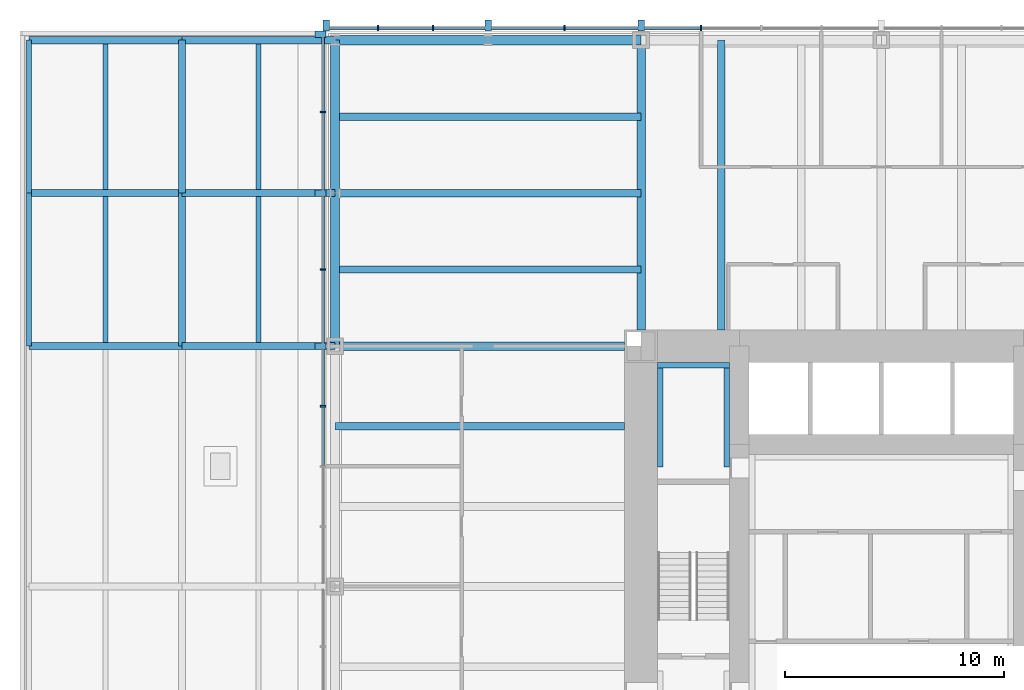
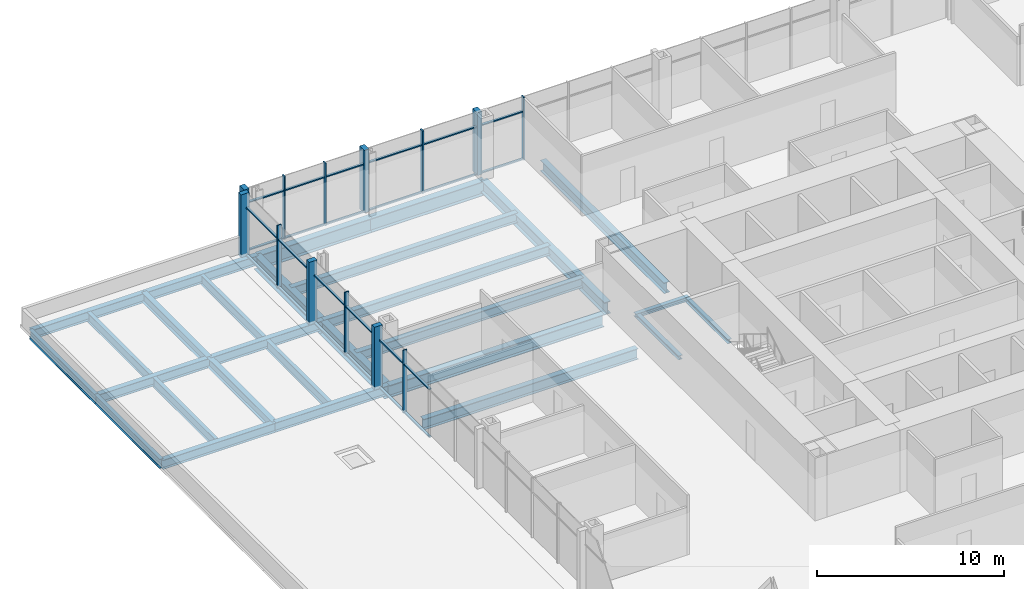
# One storey, part 5 of 15: 37 members, 28 beams, 2 elements without a shape of their own.
"""IFC4 building model written with IfcOpenShell, lengths in metres."""

from ifc_helpers import new_model, si_unit, direction, frame, origin, origin_2d, place, context, subcontext, project, spatial, rectangle, i_section, extrude, material, material_profile, profile_set, type_object, element, aggregate, save


model = new_model("IFC4")

# Units and contexts
model_context = context("Model", 3, precision=1e-05, world=origin(), true_north=direction((0.0, 1.0)))
body_context = subcontext(model_context, "Body", "Model", "MODEL_VIEW")
ifc_project = project(units=[si_unit("LENGTHUNIT", "METRE"), si_unit("AREAUNIT", "SQUARE_METRE"), si_unit("VOLUMEUNIT", "CUBIC_METRE"), si_unit("PLANEANGLEUNIT", "RADIAN"), si_unit("MASSUNIT", "GRAM", prefix="KILO")], contexts=[model_context])

# Site, building, storey
site_placement = place(None, origin())
site = spatial("IfcSite", under=ifc_project, at=site_placement, CompositionType="ELEMENT")
building_placement = place(site_placement, origin())
building = spatial("IfcBuilding", under=site, at=building_placement, Name="Trevanion Tower", CompositionType="ELEMENT")
storey_placement = place(building_placement, frame((0.0, 0.0, 16.0)))
storey = spatial("IfcBuildingStorey", under=building, at=storey_placement, Name="L03", CompositionType="ELEMENT", Elevation=16.0)

# Beams
ifc_material_1 = material(Name="Steel ASTM A992 Grade 50", Category="steel")
ifc_material_profile_1 = material_profile(ifc_material_1, i_section(OverallWidth=0.355712890625, OverallDepth=0.700927734375, WebThickness=0.016845703125, FlangeThickness=0.02734375, at=origin_2d()), Name="W27X161")
ifc_profile_set_1 = profile_set([ifc_material_profile_1], Name="Steel ASTM A992 Grade 50")
beam_type_1 = type_object("IfcBeamType", Name="B1 W27X161", PredefinedType="BEAM", material=ifc_profile_set_1)
for number, where, z_axis, x_axis, name in (
    (1, (-7.333251953125, 11.75, -0.54052734375), (0.0, 1.0, 0.0), (-1.0, 0.0, 0.0), "B1 L03"),
    (2, (-11.75, 7.333251953125, -0.54052734375), (-1.0, 0.0, 0.0), (0.0, -1.0, 0.0), "B1 L03"),
):
    element("IfcBeam", number, at=place(storey_placement, frame(where, z_axis=z_axis, x_axis=x_axis)), inside=storey, type_object=beam_type_1, Name=name, PredefinedType="BEAM", context=body_context, shape_type="SweptSolid", body=[
        extrude(i_section(OverallWidth=0.355712890625, OverallDepth=0.700927734375, WebThickness=0.016845703125, FlangeThickness=0.02734375, at=origin_2d()), origin(), (0.0, 0.0, 1.0), 13.25),
    ])
ifc_material_2 = material(Name="Steel ASTM A992 Grade 50", Category="steel")
ifc_material_profile_2 = material_profile(ifc_material_2, i_section(OverallWidth=0.32763671875, OverallDepth=0.62744140625, WebThickness=0.0166015625, FlangeThickness=0.027587890625, at=origin_2d()), Name="W24X146")
ifc_profile_set_2 = profile_set([ifc_material_profile_2], Name="Steel ASTM A992 Grade 50")
beam_type_2 = type_object("IfcBeamType", Name="B2 W24X146", PredefinedType="BEAM", material=ifc_profile_set_2)
for number, where, z_axis, x_axis, name in (
    (3, (-11.0, 14.5, -0.503662109375), (-1.0, 0.0, 0.0), (0.0, -1.0, 0.0), "B2 L03"),
    (4, (-11.0, 18.0, -0.503662109375), (-1.0, 0.0, 0.0), (0.0, -1.0, 0.0), "B2 L03"),
    (5, (-11.0, 21.5, -0.503662109375), (-1.0, 0.0, 0.0), (0.0, -1.0, 0.0), "B2 L03"),
):
    element("IfcBeam", number, at=place(storey_placement, frame(where, z_axis=z_axis, x_axis=x_axis)), inside=storey, type_object=beam_type_2, Name=name, PredefinedType="BEAM", context=body_context, shape_type="SweptSolid", body=[
        extrude(i_section(OverallWidth=0.32763671875, OverallDepth=0.62744140625, WebThickness=0.0166015625, FlangeThickness=0.027587890625, at=origin_2d()), origin(), (0.0, 0.0, 1.0), 14.0),
    ])

# Curtain wall, members
ifc_material_3 = material(Name="Aluminium and glass", Category="aluminium")
curtain_wall_type = type_object("IfcCurtainWallType", Name="CW1 curtain wall", PredefinedType="USERDEFINED", material=ifc_material_3)
curtain_wall_1_placement = place(storey_placement, origin())
curtain_wall_1 = element("IfcCurtainWall", 6, at=curtain_wall_1_placement, inside=storey, type_object=curtain_wall_type, Name="CW1 L03 1", ObjectType="UNITISED CURTAIN WALL", PredefinedType="USERDEFINED")
ifc_material_4 = material(Name="Aluminium extrusion, anodised bronze", Category="aluminium")
ifc_material_profile_3 = material_profile(ifc_material_4, rectangle(XDim=0.074951171875, YDim=0.25, at=origin_2d()), Name="CW1 mullion")
ifc_profile_set_3 = profile_set([ifc_material_profile_3], Name="Aluminium extrusion, anodised bronze")
member_type_1 = type_object("IfcMemberType", Name="CW1 mullion", PredefinedType="MULLION", material=ifc_profile_set_3)
member_1_placement = place(storey_placement, frame((-8.25, 25.550048828125, -0.18994140625), z_axis=(0.0, 0.0, 1.0), x_axis=(-1.0, 0.0, 0.0)))
member_1 = element("IfcMember", 7, at=member_1_placement, type_object=member_type_1, Name="CW1 mullion 12", PredefinedType="MULLION", context=body_context, shape_type="SweptSolid", body=[
    extrude(rectangle(XDim=0.074951171875, YDim=0.25, at=origin_2d()), origin(), (0.0, 0.0, 1.0), 4.099853515625),
])
member_2_placement = place(storey_placement, frame((-14.5, 25.550048828125, -0.18994140625), z_axis=(0.0, 0.0, 1.0), x_axis=(-1.0, 0.0, 0.0)))
member_2 = element("IfcMember", 8, at=member_2_placement, type_object=member_type_1, Name="CW1 mullion 14", PredefinedType="MULLION", context=body_context, shape_type="SweptSolid", body=[
    extrude(rectangle(XDim=0.074951171875, YDim=0.25, at=origin_2d()), origin(), (0.0, 0.0, 1.0), 4.099853515625),
])
member_3_placement = place(storey_placement, frame((-20.5166015625, 25.550048828125, -0.18994140625), z_axis=(0.0, 0.0, 1.0), x_axis=(-1.0, 0.0, 0.0)))
member_3 = element("IfcMember", 9, at=member_3_placement, type_object=member_type_1, Name="CW1 mullion 16", PredefinedType="MULLION", context=body_context, shape_type="SweptSolid", body=[
    extrude(rectangle(XDim=0.074951171875, YDim=0.25, at=origin_2d()), origin(), (0.0, 0.0, 1.0), 4.099853515625),
])
member_4_placement = place(storey_placement, frame((-23.033203125, 25.550048828125, -0.18994140625), z_axis=(0.0, 0.0, 1.0), x_axis=(-1.0, 0.0, 0.0)))
member_4 = element("IfcMember", 10, at=member_4_placement, type_object=member_type_1, Name="CW1 mullion 17", PredefinedType="MULLION", context=body_context, shape_type="SweptSolid", body=[
    extrude(rectangle(XDim=0.074951171875, YDim=0.25, at=origin_2d()), origin(), (0.0, 0.0, 1.0), 4.099853515625),
])

curtain_wall_2_placement = place(storey_placement, origin())
curtain_wall_2 = element("IfcCurtainWall", 11, at=curtain_wall_2_placement, inside=storey, type_object=curtain_wall_type, Name="CW1 L03 2", ObjectType="UNITISED CURTAIN WALL", PredefinedType="USERDEFINED")
member_5_placement = place(storey_placement, frame((-25.550048828125, 21.7099609375, -0.18994140625), z_axis=(0.0, 0.0, 1.0), x_axis=(0.0, -1.0, 0.0)))
member_5 = element("IfcMember", 12, at=member_5_placement, type_object=member_type_1, Name="CW1 mullion 2", PredefinedType="MULLION", context=body_context, shape_type="SweptSolid", body=[
    extrude(rectangle(XDim=0.074951171875, YDim=0.25, at=origin_2d()), origin(), (0.0, 0.0, 1.0), 4.099853515625),
])
member_6_placement = place(storey_placement, frame((-25.550048828125, 14.5, -0.18994140625), z_axis=(0.0, 0.0, 1.0), x_axis=(0.0, -1.0, 0.0)))
member_6 = element("IfcMember", 13, at=member_6_placement, type_object=member_type_1, Name="CW1 mullion 4", PredefinedType="MULLION", context=body_context, shape_type="SweptSolid", body=[
    extrude(rectangle(XDim=0.074951171875, YDim=0.25, at=origin_2d()), origin(), (0.0, 0.0, 1.0), 4.099853515625),
])
member_7_placement = place(storey_placement, frame((-25.550048828125, 8.25, -0.18994140625), z_axis=(0.0, 0.0, 1.0), x_axis=(0.0, -1.0, 0.0)))
member_7 = element("IfcMember", 14, at=member_7_placement, type_object=member_type_1, Name="CW1 mullion 6", PredefinedType="MULLION", context=body_context, shape_type="SweptSolid", body=[
    extrude(rectangle(XDim=0.074951171875, YDim=0.25, at=origin_2d()), origin(), (0.0, 0.0, 1.0), 4.099853515625),
])

# Member
ifc_material_5 = material(Name="Aluminium extrusion, anodised bronze", Category="aluminium")
ifc_material_profile_4 = material_profile(ifc_material_5, rectangle(XDim=0.300048828125, YDim=0.5, at=origin_2d()), Name="CW1 pier mullion")
ifc_profile_set_4 = profile_set([ifc_material_profile_4], Name="Aluminium extrusion, anodised bronze")
member_type_2 = type_object("IfcMemberType", Name="CW1 pier mullion", PredefinedType="MULLION", material=ifc_profile_set_4)
member_8_placement = place(storey_placement, frame((-11.0, 25.675048828125, -0.18994140625), z_axis=(0.0, 0.0, 1.0), x_axis=(-1.0, 0.0, 0.0)))
member_8 = element("IfcMember", 15, at=member_8_placement, type_object=member_type_2, Name="CW1 pier mullion 13", PredefinedType="MULLION", context=body_context, shape_type="SweptSolid", body=[
    extrude(rectangle(XDim=0.300048828125, YDim=0.5, at=origin_2d()), origin(), (0.0, 0.0, 1.0), 4.099853515625),
])

member_9_placement = place(storey_placement, frame((-18.0, 25.675048828125, -0.18994140625), z_axis=(0.0, 0.0, 1.0), x_axis=(-1.0, 0.0, 0.0)))
member_9 = element("IfcMember", 16, at=member_9_placement, type_object=member_type_2, Name="CW1 pier mullion 15", PredefinedType="MULLION", context=body_context, shape_type="SweptSolid", body=[
    extrude(rectangle(XDim=0.300048828125, YDim=0.5, at=origin_2d()), origin(), (0.0, 0.0, 1.0), 4.099853515625),
])

member_10_placement = place(storey_placement, frame((-25.39990234375, 25.675048828125, -0.18994140625), z_axis=(0.0, 0.0, 1.0), x_axis=(-1.0, 0.0, 0.0)))
member_10 = element("IfcMember", 17, at=member_10_placement, type_object=member_type_2, Name="CW1 pier mullion 18", PredefinedType="MULLION", context=body_context, shape_type="SweptSolid", body=[
    extrude(rectangle(XDim=0.300048828125, YDim=0.5, at=origin_2d()), origin(), (0.0, 0.0, 1.0), 4.099853515625),
])

member_11_placement = place(storey_placement, frame((-25.675048828125, 25.27001953125, -0.18994140625), z_axis=(0.0, 0.0, 1.0), x_axis=(0.0, -1.0, 0.0)))
member_11 = element("IfcMember", 18, at=member_11_placement, type_object=member_type_2, Name="CW1 pier mullion 1", PredefinedType="MULLION", context=body_context, shape_type="SweptSolid", body=[
    extrude(rectangle(XDim=0.300048828125, YDim=0.5, at=origin_2d()), origin(), (0.0, 0.0, 1.0), 4.099853515625),
])

member_12_placement = place(storey_placement, frame((-25.675048828125, 18.0, -0.18994140625), z_axis=(0.0, 0.0, 1.0), x_axis=(0.0, -1.0, 0.0)))
member_12 = element("IfcMember", 19, at=member_12_placement, type_object=member_type_2, Name="CW1 pier mullion 3", PredefinedType="MULLION", context=body_context, shape_type="SweptSolid", body=[
    extrude(rectangle(XDim=0.300048828125, YDim=0.5, at=origin_2d()), origin(), (0.0, 0.0, 1.0), 4.099853515625),
])

member_13_placement = place(storey_placement, frame((-25.675048828125, 11.0, -0.18994140625), z_axis=(0.0, 0.0, 1.0), x_axis=(0.0, -1.0, 0.0)))
member_13 = element("IfcMember", 20, at=member_13_placement, type_object=member_type_2, Name="CW1 pier mullion 5", PredefinedType="MULLION", context=body_context, shape_type="SweptSolid", body=[
    extrude(rectangle(XDim=0.300048828125, YDim=0.5, at=origin_2d()), origin(), (0.0, 0.0, 1.0), 4.099853515625),
])

ifc_material_6 = material(Name="Aluminium extrusion, anodised bronze", Category="aluminium")
ifc_material_profile_5 = material_profile(ifc_material_6, rectangle(XDim=0.14990234375, YDim=0.074951171875, at=origin_2d()), Name="CW1 transom")
ifc_profile_set_5 = profile_set([ifc_material_profile_5], Name="Aluminium extrusion, anodised bronze")
member_type_3 = type_object("IfcMemberType", Name="CW1 transom", PredefinedType="USERDEFINED", material=ifc_profile_set_5)
member_14_placement = place(storey_placement, frame((-8.28759765625, 25.550048828125, -0.152587890625), z_axis=(-1.0, 0.0, 0.0), x_axis=(0.0, -1.0, 0.0)))
member_14 = element("IfcMember", 21, at=member_14_placement, type_object=member_type_3, Name="CW1 transom 12.1", ObjectType="TRANSOM", PredefinedType="USERDEFINED", context=body_context, shape_type="SweptSolid", body=[
    extrude(rectangle(XDim=0.14990234375, YDim=0.074951171875, at=origin_2d()), origin(), (0.0, 0.0, 1.0), 2.5625),
])

member_15_placement = place(storey_placement, frame((-8.28759765625, 25.550048828125, 2.9599609375), z_axis=(-1.0, 0.0, 0.0), x_axis=(0.0, -1.0, 0.0)))
member_15 = element("IfcMember", 22, at=member_15_placement, type_object=member_type_3, Name="CW1 transom 12.2", ObjectType="TRANSOM", PredefinedType="USERDEFINED", context=body_context, shape_type="SweptSolid", body=[
    extrude(rectangle(XDim=0.14990234375, YDim=0.074951171875, at=origin_2d()), origin(), (0.0, 0.0, 1.0), 2.5625),
])

member_16_placement = place(storey_placement, frame((-11.14990234375, 25.550048828125, -0.152587890625), z_axis=(-1.0, 0.0, 0.0), x_axis=(0.0, -1.0, 0.0)))
member_16 = element("IfcMember", 23, at=member_16_placement, type_object=member_type_3, Name="CW1 transom 13.1", ObjectType="TRANSOM", PredefinedType="USERDEFINED", context=body_context, shape_type="SweptSolid", body=[
    extrude(rectangle(XDim=0.14990234375, YDim=0.074951171875, at=origin_2d()), origin(), (0.0, 0.0, 1.0), 3.3125),
])

member_17_placement = place(storey_placement, frame((-11.14990234375, 25.550048828125, 2.9599609375), z_axis=(-1.0, 0.0, 0.0), x_axis=(0.0, -1.0, 0.0)))
member_17 = element("IfcMember", 24, at=member_17_placement, type_object=member_type_3, Name="CW1 transom 13.2", ObjectType="TRANSOM", PredefinedType="USERDEFINED", context=body_context, shape_type="SweptSolid", body=[
    extrude(rectangle(XDim=0.14990234375, YDim=0.074951171875, at=origin_2d()), origin(), (0.0, 0.0, 1.0), 3.3125),
])

member_18_placement = place(storey_placement, frame((-14.53759765625, 25.550048828125, -0.152587890625), z_axis=(-1.0, 0.0, 0.0), x_axis=(0.0, -1.0, 0.0)))
member_18 = element("IfcMember", 25, at=member_18_placement, type_object=member_type_3, Name="CW1 transom 14.1", ObjectType="TRANSOM", PredefinedType="USERDEFINED", context=body_context, shape_type="SweptSolid", body=[
    extrude(rectangle(XDim=0.14990234375, YDim=0.074951171875, at=origin_2d()), origin(), (0.0, 0.0, 1.0), 3.3125),
])

member_19_placement = place(storey_placement, frame((-14.53759765625, 25.550048828125, 2.9599609375), z_axis=(-1.0, 0.0, 0.0), x_axis=(0.0, -1.0, 0.0)))
member_19 = element("IfcMember", 26, at=member_19_placement, type_object=member_type_3, Name="CW1 transom 14.2", ObjectType="TRANSOM", PredefinedType="USERDEFINED", context=body_context, shape_type="SweptSolid", body=[
    extrude(rectangle(XDim=0.14990234375, YDim=0.074951171875, at=origin_2d()), origin(), (0.0, 0.0, 1.0), 3.3125),
])

member_20_placement = place(storey_placement, frame((-18.14990234375, 25.550048828125, -0.152587890625), z_axis=(-1.0, 0.0, 0.0), x_axis=(0.0, -1.0, 0.0)))
member_20 = element("IfcMember", 27, at=member_20_placement, type_object=member_type_3, Name="CW1 transom 15.1", ObjectType="TRANSOM", PredefinedType="USERDEFINED", context=body_context, shape_type="SweptSolid", body=[
    extrude(rectangle(XDim=0.14990234375, YDim=0.074951171875, at=origin_2d()), origin(), (0.0, 0.0, 1.0), 2.329345703125),
])

member_21_placement = place(storey_placement, frame((-18.14990234375, 25.550048828125, 2.9599609375), z_axis=(-1.0, 0.0, 0.0), x_axis=(0.0, -1.0, 0.0)))
member_21 = element("IfcMember", 28, at=member_21_placement, type_object=member_type_3, Name="CW1 transom 15.2", ObjectType="TRANSOM", PredefinedType="USERDEFINED", context=body_context, shape_type="SweptSolid", body=[
    extrude(rectangle(XDim=0.14990234375, YDim=0.074951171875, at=origin_2d()), origin(), (0.0, 0.0, 1.0), 2.329345703125),
])

member_22_placement = place(storey_placement, frame((-20.55419921875, 25.550048828125, -0.152587890625), z_axis=(-1.0, 0.0, 0.0), x_axis=(0.0, -1.0, 0.0)))
member_22 = element("IfcMember", 29, at=member_22_placement, type_object=member_type_3, Name="CW1 transom 16.1", ObjectType="TRANSOM", PredefinedType="USERDEFINED", context=body_context, shape_type="SweptSolid", body=[
    extrude(rectangle(XDim=0.14990234375, YDim=0.074951171875, at=origin_2d()), origin(), (0.0, 0.0, 1.0), 2.441650390625),
])

member_23_placement = place(storey_placement, frame((-20.55419921875, 25.550048828125, 2.9599609375), z_axis=(-1.0, 0.0, 0.0), x_axis=(0.0, -1.0, 0.0)))
member_23 = element("IfcMember", 30, at=member_23_placement, type_object=member_type_3, Name="CW1 transom 16.2", ObjectType="TRANSOM", PredefinedType="USERDEFINED", context=body_context, shape_type="SweptSolid", body=[
    extrude(rectangle(XDim=0.14990234375, YDim=0.074951171875, at=origin_2d()), origin(), (0.0, 0.0, 1.0), 2.441650390625),
])

member_24_placement = place(storey_placement, frame((-23.07080078125, 25.550048828125, -0.152587890625), z_axis=(-1.0, 0.0, 0.0), x_axis=(0.0, -1.0, 0.0)))
member_24 = element("IfcMember", 31, at=member_24_placement, type_object=member_type_3, Name="CW1 transom 17.1", ObjectType="TRANSOM", PredefinedType="USERDEFINED", context=body_context, shape_type="SweptSolid", body=[
    extrude(rectangle(XDim=0.14990234375, YDim=0.074951171875, at=origin_2d()), origin(), (0.0, 0.0, 1.0), 2.17919921875),
])

member_25_placement = place(storey_placement, frame((-23.07080078125, 25.550048828125, 2.9599609375), z_axis=(-1.0, 0.0, 0.0), x_axis=(0.0, -1.0, 0.0)))
member_25 = element("IfcMember", 32, at=member_25_placement, type_object=member_type_3, Name="CW1 transom 17.2", ObjectType="TRANSOM", PredefinedType="USERDEFINED", context=body_context, shape_type="SweptSolid", body=[
    extrude(rectangle(XDim=0.14990234375, YDim=0.074951171875, at=origin_2d()), origin(), (0.0, 0.0, 1.0), 2.17919921875),
])

aggregate(curtain_wall_1, [member_1, member_8, member_2, member_9, member_3, member_4, member_10, member_14, member_15, member_16, member_17, member_18, member_19, member_20, member_21, member_22, member_23, member_24, member_25])

member_26_placement = place(storey_placement, frame((-25.550048828125, 25.1201171875, -0.152587890625), z_axis=(0.0, -1.0, 0.0), x_axis=(1.0, 0.0, 0.0)))
member_26 = element("IfcMember", 33, at=member_26_placement, type_object=member_type_3, Name="CW1 transom 1.1", ObjectType="TRANSOM", PredefinedType="USERDEFINED", context=body_context, shape_type="SweptSolid", body=[
    extrude(rectangle(XDim=0.14990234375, YDim=0.074951171875, at=origin_2d()), origin(), (0.0, 0.0, 1.0), 3.37255859375),
])

member_27_placement = place(storey_placement, frame((-25.550048828125, 25.1201171875, 2.9599609375), z_axis=(0.0, -1.0, 0.0), x_axis=(1.0, 0.0, 0.0)))
member_27 = element("IfcMember", 34, at=member_27_placement, type_object=member_type_3, Name="CW1 transom 1.2", ObjectType="TRANSOM", PredefinedType="USERDEFINED", context=body_context, shape_type="SweptSolid", body=[
    extrude(rectangle(XDim=0.14990234375, YDim=0.074951171875, at=origin_2d()), origin(), (0.0, 0.0, 1.0), 3.37255859375),
])

member_28_placement = place(storey_placement, frame((-25.550048828125, 21.672607421875, -0.152587890625), z_axis=(0.0, -1.0, 0.0), x_axis=(1.0, 0.0, 0.0)))
member_28 = element("IfcMember", 35, at=member_28_placement, type_object=member_type_3, Name="CW1 transom 2.1", ObjectType="TRANSOM", PredefinedType="USERDEFINED", context=body_context, shape_type="SweptSolid", body=[
    extrude(rectangle(XDim=0.14990234375, YDim=0.074951171875, at=origin_2d()), origin(), (0.0, 0.0, 1.0), 3.522705078125),
])

member_29_placement = place(storey_placement, frame((-25.550048828125, 21.672607421875, 2.9599609375), z_axis=(0.0, -1.0, 0.0), x_axis=(1.0, 0.0, 0.0)))
member_29 = element("IfcMember", 36, at=member_29_placement, type_object=member_type_3, Name="CW1 transom 2.2", ObjectType="TRANSOM", PredefinedType="USERDEFINED", context=body_context, shape_type="SweptSolid", body=[
    extrude(rectangle(XDim=0.14990234375, YDim=0.074951171875, at=origin_2d()), origin(), (0.0, 0.0, 1.0), 3.522705078125),
])

member_30_placement = place(storey_placement, frame((-25.550048828125, 17.85009765625, -0.152587890625), z_axis=(0.0, -1.0, 0.0), x_axis=(1.0, 0.0, 0.0)))
member_30 = element("IfcMember", 37, at=member_30_placement, type_object=member_type_3, Name="CW1 transom 3.1", ObjectType="TRANSOM", PredefinedType="USERDEFINED", context=body_context, shape_type="SweptSolid", body=[
    extrude(rectangle(XDim=0.14990234375, YDim=0.074951171875, at=origin_2d()), origin(), (0.0, 0.0, 1.0), 3.3125),
])

member_31_placement = place(storey_placement, frame((-25.550048828125, 17.85009765625, 2.9599609375), z_axis=(0.0, -1.0, 0.0), x_axis=(1.0, 0.0, 0.0)))
member_31 = element("IfcMember", 38, at=member_31_placement, type_object=member_type_3, Name="CW1 transom 3.2", ObjectType="TRANSOM", PredefinedType="USERDEFINED", context=body_context, shape_type="SweptSolid", body=[
    extrude(rectangle(XDim=0.14990234375, YDim=0.074951171875, at=origin_2d()), origin(), (0.0, 0.0, 1.0), 3.3125),
])

member_32_placement = place(storey_placement, frame((-25.550048828125, 14.46240234375, -0.152587890625), z_axis=(0.0, -1.0, 0.0), x_axis=(1.0, 0.0, 0.0)))
member_32 = element("IfcMember", 39, at=member_32_placement, type_object=member_type_3, Name="CW1 transom 4.1", ObjectType="TRANSOM", PredefinedType="USERDEFINED", context=body_context, shape_type="SweptSolid", body=[
    extrude(rectangle(XDim=0.14990234375, YDim=0.074951171875, at=origin_2d()), origin(), (0.0, 0.0, 1.0), 3.3125),
])

member_33_placement = place(storey_placement, frame((-25.550048828125, 14.46240234375, 2.9599609375), z_axis=(0.0, -1.0, 0.0), x_axis=(1.0, 0.0, 0.0)))
member_33 = element("IfcMember", 40, at=member_33_placement, type_object=member_type_3, Name="CW1 transom 4.2", ObjectType="TRANSOM", PredefinedType="USERDEFINED", context=body_context, shape_type="SweptSolid", body=[
    extrude(rectangle(XDim=0.14990234375, YDim=0.074951171875, at=origin_2d()), origin(), (0.0, 0.0, 1.0), 3.3125),
])

member_34_placement = place(storey_placement, frame((-25.550048828125, 10.85009765625, -0.152587890625), z_axis=(0.0, -1.0, 0.0), x_axis=(1.0, 0.0, 0.0)))
member_34 = element("IfcMember", 41, at=member_34_placement, type_object=member_type_3, Name="CW1 transom 5.1", ObjectType="TRANSOM", PredefinedType="USERDEFINED", context=body_context, shape_type="SweptSolid", body=[
    extrude(rectangle(XDim=0.14990234375, YDim=0.074951171875, at=origin_2d()), origin(), (0.0, 0.0, 1.0), 2.5625),
])

member_35_placement = place(storey_placement, frame((-25.550048828125, 10.85009765625, 2.9599609375), z_axis=(0.0, -1.0, 0.0), x_axis=(1.0, 0.0, 0.0)))
member_35 = element("IfcMember", 42, at=member_35_placement, type_object=member_type_3, Name="CW1 transom 5.2", ObjectType="TRANSOM", PredefinedType="USERDEFINED", context=body_context, shape_type="SweptSolid", body=[
    extrude(rectangle(XDim=0.14990234375, YDim=0.074951171875, at=origin_2d()), origin(), (0.0, 0.0, 1.0), 2.5625),
])

member_36_placement = place(storey_placement, frame((-25.550048828125, 8.21240234375, -0.152587890625), z_axis=(0.0, -1.0, 0.0), x_axis=(1.0, 0.0, 0.0)))
member_36 = element("IfcMember", 43, at=member_36_placement, type_object=member_type_3, Name="CW1 transom 6.1", ObjectType="TRANSOM", PredefinedType="USERDEFINED", context=body_context, shape_type="SweptSolid", body=[
    extrude(rectangle(XDim=0.14990234375, YDim=0.074951171875, at=origin_2d()), origin(), (0.0, 0.0, 1.0), 2.6748046875),
])

member_37_placement = place(storey_placement, frame((-25.550048828125, 8.21240234375, 2.9599609375), z_axis=(0.0, -1.0, 0.0), x_axis=(1.0, 0.0, 0.0)))
member_37 = element("IfcMember", 44, at=member_37_placement, type_object=member_type_3, Name="CW1 transom 6.2", ObjectType="TRANSOM", PredefinedType="USERDEFINED", context=body_context, shape_type="SweptSolid", body=[
    extrude(rectangle(XDim=0.14990234375, YDim=0.074951171875, at=origin_2d()), origin(), (0.0, 0.0, 1.0), 2.6748046875),
])

aggregate(curtain_wall_2, [member_11, member_5, member_12, member_6, member_13, member_7, member_26, member_27, member_28, member_29, member_30, member_31, member_32, member_33, member_34, member_35, member_36, member_37])

# Beams
ifc_material_7 = material(Name="Steel ASTM A992 Grade 50", Category="steel")
ifc_material_profile_6 = material_profile(ifc_material_7, i_section(OverallWidth=0.385986328125, OverallDepth=0.802734375, WebThickness=0.023681640625, FlangeThickness=0.0419921875, at=origin_2d()), Name="W30X261")
ifc_profile_set_6 = profile_set([ifc_material_profile_6], Name="Steel ASTM A992 Grade 50")
beam_type_3 = type_object("IfcBeamType", Name="G1 W30X261", PredefinedType="BEAM", material=ifc_profile_set_6)
for number, where, z_axis, x_axis, name in (
    (45, (-11.0, 11.75, -0.59130859375), (0.0, 1.0, 0.0), (-1.0, 0.0, 0.0), "G1 L03"),
    (46, (-11.75, 11.0, -0.59130859375), (-1.0, 0.0, 0.0), (0.0, -1.0, 0.0), "G1 L03"),
):
    element("IfcBeam", number, at=place(storey_placement, frame(where, z_axis=z_axis, x_axis=x_axis)), inside=storey, type_object=beam_type_3, Name=name, PredefinedType="BEAM", context=body_context, shape_type="SweptSolid", body=[
        extrude(i_section(OverallWidth=0.385986328125, OverallDepth=0.802734375, WebThickness=0.023681640625, FlangeThickness=0.0419921875, at=origin_2d()), origin(), (0.0, 0.0, 1.0), 13.25),
    ])
ifc_material_8 = material(Name="Steel ASTM A992 Grade 50", Category="steel")
ifc_material_profile_7 = material_profile(ifc_material_8, i_section(OverallWidth=0.256591796875, OverallDepth=0.26416015625, WebThickness=0.011962890625, FlangeThickness=0.01953125, at=origin_2d()), Name="W10X68")
ifc_profile_set_7 = profile_set([ifc_material_profile_7], Name="Steel ASTM A992 Grade 50")
beam_type_4 = type_object("IfcBeamType", Name="LB1 W10X68", PredefinedType="BEAM", material=ifc_profile_set_7)
for number, where, z_axis, x_axis, name in (
    (47, (-10.12158203125, 5.47509765625, -0.33203125), (0.0, 1.0, 0.0), (-1.0, 0.0, 0.0), "LB1 L03"),
    (48, (-7.078369140625, 5.47509765625, -0.33203125), (0.0, 1.0, 0.0), (-1.0, 0.0, 0.0), "LB1 L03"),
):
    element("IfcBeam", number, at=place(storey_placement, frame(where, z_axis=z_axis, x_axis=x_axis)), inside=storey, type_object=beam_type_4, Name=name, PredefinedType="BEAM", context=body_context, shape_type="SweptSolid", body=[
        extrude(i_section(OverallWidth=0.256591796875, OverallDepth=0.26416015625, WebThickness=0.011962890625, FlangeThickness=0.01953125, at=origin_2d()), origin(), (0.0, 0.0, 1.0), 4.77490234375),
    ])
beam_placement = place(storey_placement, frame((-10.25, 10.12158203125, -0.33203125), z_axis=(1.0, 0.0, 0.0), x_axis=(0.0, 1.0, 0.0)))
element("IfcBeam", 49, at=beam_placement, inside=storey, type_object=beam_type_4, Name="LB1 L03", PredefinedType="BEAM", context=body_context, shape_type="SweptSolid", body=[
    extrude(i_section(OverallWidth=0.256591796875, OverallDepth=0.26416015625, WebThickness=0.011962890625, FlangeThickness=0.01953125, at=origin_2d()), origin(), (0.0, 0.0, 1.0), 3.300048828125),
])
ifc_material_9 = material(Name="Steel ASTM A992 Grade 50", Category="steel")
ifc_material_profile_8 = material_profile(ifc_material_9, i_section(OverallWidth=0.419189453125, OverallDepth=0.927001953125, WebThickness=0.019287109375, FlangeThickness=0.031982421875, at=origin_2d()), Name="W36X231")
ifc_profile_set_8 = profile_set([ifc_material_profile_8], Name="Steel ASTM A992 Grade 50")
beam_type_5 = type_object("IfcBeamType", Name="SB1 W36X231", PredefinedType="SPANDREL", material=ifc_profile_set_8)
for number, where, z_axis, x_axis, name in (
    (50, (-11.0, 25.0, -0.653564453125), (-1.0, 0.0, 0.0), (0.0, -1.0, 0.0), "SB1 L03"),
    (51, (-18.0, 25.0, -0.653564453125), (-1.0, 0.0, 0.0), (0.0, -1.0, 0.0), "SB1 L03"),
    (52, (-25.0, 25.0, -0.653564453125), (0.0, -1.0, 0.0), (1.0, 0.0, 0.0), "SB1 L03"),
    (53, (-25.0, 18.0, -0.653564453125), (0.0, -1.0, 0.0), (1.0, 0.0, 0.0), "SB1 L03"),
):
    element("IfcBeam", number, at=place(storey_placement, frame(where, z_axis=z_axis, x_axis=x_axis)), inside=storey, type_object=beam_type_5, Name=name, PredefinedType="SPANDREL", context=body_context, shape_type="SweptSolid", body=[
        extrude(i_section(OverallWidth=0.419189453125, OverallDepth=0.927001953125, WebThickness=0.019287109375, FlangeThickness=0.031982421875, at=origin_2d()), origin(), (0.0, 0.0, 1.0), 7.0),
    ])
ifc_material_10 = material(Name="Steel ASTM A992 Grade 50", Category="steel")
ifc_material_profile_9 = material_profile(ifc_material_10, i_section(OverallWidth=0.228271484375, OverallDepth=0.607177734375, WebThickness=0.01123046875, FlangeThickness=0.017333984375, at=origin_2d()), Name="W24X76")
ifc_profile_set_9 = profile_set([ifc_material_profile_9], Name="Steel ASTM A992 Grade 50")
beam_type_6 = type_object("IfcBeamType", Name="WB1 W24X76", PredefinedType="BEAM", material=ifc_profile_set_9)
for number, where, z_axis, x_axis, name in (
    (54, (-28.5, 24.83740234375, -0.493408203125), (0.0, -1.0, 0.0), (1.0, 0.0, 0.0), "WB1 L03"),
    (55, (-28.5, 17.83740234375, -0.493408203125), (0.0, -1.0, 0.0), (1.0, 0.0, 0.0), "WB1 L03"),
    (56, (-35.5, 24.83740234375, -0.493408203125), (0.0, -1.0, 0.0), (1.0, 0.0, 0.0), "WB1 L03"),
    (57, (-35.5, 17.83740234375, -0.493408203125), (0.0, -1.0, 0.0), (1.0, 0.0, 0.0), "WB1 L03"),
):
    element("IfcBeam", number, at=place(storey_placement, frame(where, z_axis=z_axis, x_axis=x_axis)), inside=storey, type_object=beam_type_6, Name=name, PredefinedType="BEAM", context=body_context, shape_type="SweptSolid", body=[
        extrude(i_section(OverallWidth=0.228271484375, OverallDepth=0.607177734375, WebThickness=0.01123046875, FlangeThickness=0.017333984375, at=origin_2d()), origin(), (0.0, 0.0, 1.0), 6.6748046875),
    ])
ifc_material_11 = material(Name="Steel ASTM A992 Grade 50", Category="steel")
ifc_material_profile_10 = material_profile(ifc_material_11, i_section(OverallWidth=0.227783203125, OverallDepth=0.60205078125, WebThickness=0.010498046875, FlangeThickness=0.014892578125, at=origin_2d()), Name="W24X68")
ifc_profile_set_10 = profile_set([ifc_material_profile_10], Name="Steel ASTM A992 Grade 50")
beam_type_7 = type_object("IfcBeamType", Name="WE1 W24X68", PredefinedType="SPANDREL", material=ifc_profile_set_10)
for number, where, z_axis, x_axis, name in (
    (58, (-39.0, 25.0, -0.490966796875), (0.0, -1.0, 0.0), (1.0, 0.0, 0.0), "WE1 L03"),
    (59, (-39.0, 18.0, -0.490966796875), (0.0, -1.0, 0.0), (1.0, 0.0, 0.0), "WE1 L03"),
):
    element("IfcBeam", number, at=place(storey_placement, frame(where, z_axis=z_axis, x_axis=x_axis)), inside=storey, type_object=beam_type_7, Name=name, PredefinedType="SPANDREL", context=body_context, shape_type="SweptSolid", body=[
        extrude(i_section(OverallWidth=0.227783203125, OverallDepth=0.60205078125, WebThickness=0.010498046875, FlangeThickness=0.014892578125, at=origin_2d()), origin(), (0.0, 0.0, 1.0), 7.0),
    ])
ifc_material_12 = material(Name="Steel ASTM A992 Grade 50", Category="steel")
ifc_material_profile_11 = material_profile(ifc_material_12, i_section(OverallWidth=0.3251953125, OverallDepth=0.612060546875, WebThickness=0.0126953125, FlangeThickness=0.01904296875, at=origin_2d()), Name="W24X104")
ifc_profile_set_11 = profile_set([ifc_material_profile_11], Name="Steel ASTM A992 Grade 50")
beam_type_8 = type_object("IfcBeamType", Name="WG1 W24X104", PredefinedType="BEAM", material=ifc_profile_set_11)
for number, where, z_axis, x_axis, name in (
    (60, (-25.0, 25.0, -0.49609375), (-1.0, 0.0, 0.0), (0.0, -1.0, 0.0), "WG1 L03"),
    (61, (-32.0, 25.0, -0.49609375), (-1.0, 0.0, 0.0), (0.0, -1.0, 0.0), "WG1 L03"),
    (62, (-25.0, 18.0, -0.49609375), (-1.0, 0.0, 0.0), (0.0, -1.0, 0.0), "WG1 L03"),
    (63, (-32.0, 18.0, -0.49609375), (-1.0, 0.0, 0.0), (0.0, -1.0, 0.0), "WG1 L03"),
    (64, (-25.0, 11.0, -0.49609375), (-1.0, 0.0, 0.0), (0.0, -1.0, 0.0), "WG1 L03"),
    (65, (-32.0, 11.0, -0.49609375), (-1.0, 0.0, 0.0), (0.0, -1.0, 0.0), "WG1 L03"),
    (66, (-32.0, 25.0, -0.49609375), (0.0, -1.0, 0.0), (1.0, 0.0, 0.0), "WG1 L03"),
    (67, (-32.0, 18.0, -0.49609375), (0.0, -1.0, 0.0), (1.0, 0.0, 0.0), "WG1 L03"),
):
    element("IfcBeam", number, at=place(storey_placement, frame(where, z_axis=z_axis, x_axis=x_axis)), inside=storey, type_object=beam_type_8, Name=name, PredefinedType="BEAM", context=body_context, shape_type="SweptSolid", body=[
        extrude(i_section(OverallWidth=0.3251953125, OverallDepth=0.612060546875, WebThickness=0.0126953125, FlangeThickness=0.01904296875, at=origin_2d()), origin(), (0.0, 0.0, 1.0), 7.0),
    ])

save(model, "model.ifc")
